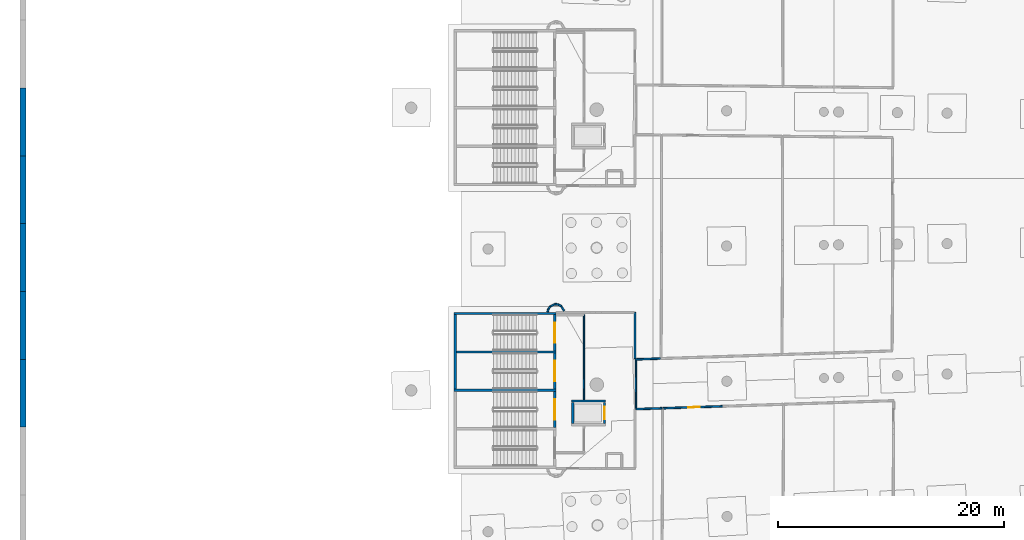
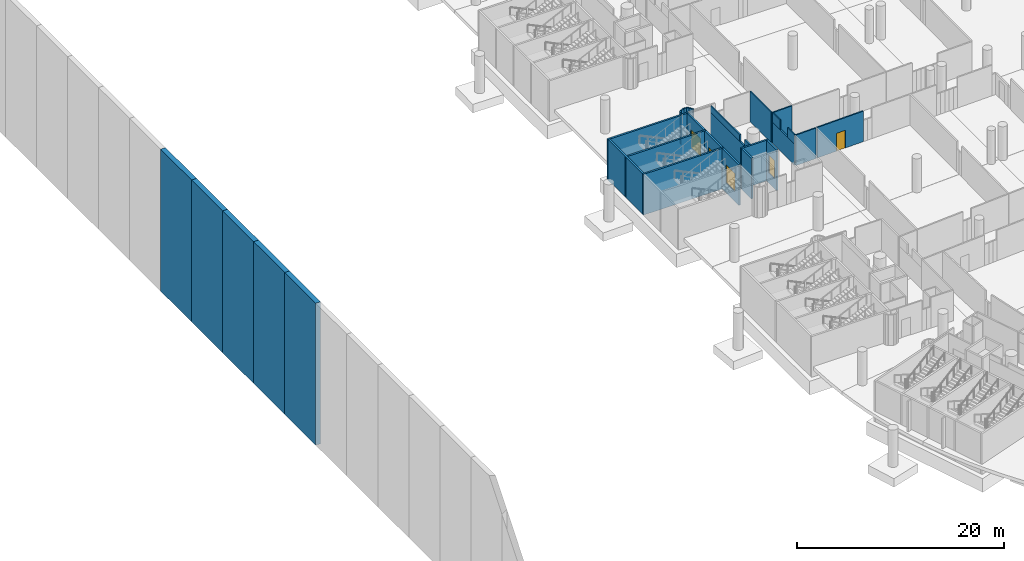
# One storey, part 46 of 142: 31 walls, 5 doors, 5 openings.
"""IFC4 building model written with IfcOpenShell, lengths in metres."""

from ifc_helpers import new_model, si_unit, direction, frame, frame_2d, origin, place, context, subcontext, project, spatial, rectangle, extrude, material, layer, layer_set, type_object, element, fill, save


model = new_model("IFC4")

# Units and contexts
model_context = context("Model", 3, precision=1e-05, world=origin(), true_north=direction((0.0, 1.0)))
body_context = subcontext(model_context, "Body", "Model", "MODEL_VIEW")
ifc_project = project(units=[si_unit("LENGTHUNIT", "METRE"), si_unit("AREAUNIT", "SQUARE_METRE"), si_unit("VOLUMEUNIT", "CUBIC_METRE"), si_unit("PLANEANGLEUNIT", "RADIAN"), si_unit("MASSUNIT", "GRAM", prefix="KILO")], contexts=[model_context])

# Site, building, storey
site_placement = place(None, origin())
site = spatial("IfcSite", under=ifc_project, at=site_placement, CompositionType="ELEMENT")
building_placement = place(site_placement, origin())
building = spatial("IfcBuilding", under=site, at=building_placement, Name="Meseta Stadium", CompositionType="ELEMENT")
storey_placement = place(building_placement, frame((0.0, 0.0, -4.0)))
storey = spatial("IfcBuildingStorey", under=building, at=storey_placement, Name="B1", CompositionType="ELEMENT", Elevation=-4.0)

# Walls
ifc_material_1 = material(Name="Concrete C40/50", Category="concrete")
ifc_layer_1 = layer(ifc_material_1, 0.199951171875)
ifc_layer_set_1 = layer_set([ifc_layer_1], Name="Core divider wall 200")
wall_type_1 = type_object("IfcWallType", Name="Core divider wall 200", PredefinedType="SHEAR", material=ifc_layer_set_1)
wall_1_placement = place(storey_placement, frame((-97.60009765625, -15.35009765625, -1.199951171875), z_axis=(0.0, 0.0, 1.0), x_axis=(1.0, 0.0, 0.0)))
element("IfcWall", 1, at=wall_1_placement, inside=storey, type_object=wall_type_1, Name="Core 18 B1 stair A divider wall", PredefinedType="SHEAR", context=body_context, shape_type="SweptSolid", body=[
    extrude(rectangle(XDim=9.0, YDim=0.199951171875, at=frame_2d((4.5, 0.0))), origin(), (0.0, 0.0, 1.0), 4.800048828125),
])
ifc_material_2 = material(Name="Concrete C40/50", Category="concrete")
ifc_layer_2 = layer(ifc_material_2, 0.199951171875)
ifc_layer_set_2 = layer_set([ifc_layer_2], Name="Core shaft wall 200")
wall_type_2 = type_object("IfcWallType", Name="Core shaft wall 200", PredefinedType="SHEAR", material=ifc_layer_set_2)
for number, where, z_axis, x_axis, name in (
    (2, (-97.60009765625, -11.949951171875, -1.199951171875), (0.0, 0.0, 1.0), (1.0, 0.0, 0.0), "Core 18 B1 stair wall A-side"),
    (3, (-97.60009765625, -18.75, -1.199951171875), (0.0, 0.0, 1.0), (1.0, 0.0, 0.0), "Core 18 B1 stair wall shared"),
):
    element("IfcWall", number, at=place(storey_placement, frame(where, z_axis=z_axis, x_axis=x_axis)), inside=storey, type_object=wall_type_2, Name=name, PredefinedType="SHEAR", context=body_context, shape_type="SweptSolid", body=[
        extrude(rectangle(XDim=9.0, YDim=0.199951171875, at=frame_2d((4.5, 0.0))), origin(), (0.0, 0.0, 1.0), 4.800048828125),
    ])
wall_2_placement = place(storey_placement, frame((-97.5, -12.050048828125, -1.199951171875), z_axis=(0.0, 0.0, 1.0), x_axis=(0.0, -1.0, 0.0)))
element("IfcWall", 4, at=wall_2_placement, inside=storey, type_object=wall_type_2, Name="Core 18 B1 stair A outer end wall", PredefinedType="SHEAR", context=body_context, shape_type="SweptSolid", body=[
    extrude(rectangle(XDim=6.599853515625, YDim=0.199951171875, at=frame_2d((3.2998046875, 0.0))), origin(), (0.0, 0.0, 1.0), 4.800048828125),
])

# Wall, opening, door
wall_3_placement = place(storey_placement, frame((-88.699951171875, -12.050048828125, -1.199951171875), z_axis=(0.0, 0.0, 1.0), x_axis=(0.0, -1.0, 0.0)))
wall_3 = element("IfcWall", 5, at=wall_3_placement, inside=storey, type_object=wall_type_2, Name="Core 18 B1 stair A1 inner end wall", PredefinedType="SHEAR", context=body_context, shape_type="SweptSolid", body=[
    extrude(rectangle(XDim=3.199951171875, YDim=0.199951171875, at=frame_2d((1.60009765625, 0.0))), origin(), (0.0, 0.0, 1.0), 4.800048828125),
])
opening_1_placement = place(wall_3_placement, frame((0.699951171875, 0.0, 1.199951171875)))
opening_1 = element("IfcOpeningElement", 6, at=opening_1_placement, cuts=wall_3, Name="Opening D241", PredefinedType="OPENING", context=body_context, shape_type="SweptSolid", body=[
    extrude(rectangle(XDim=1.800048828125, YDim=2.10009765625, at=frame_2d((0.89990234375, 1.050048828125))), frame((0.0, 0.10986328125, 0.0), z_axis=(0.0, -1.0, 0.0), x_axis=(1.0, 0.0, 0.0)), (0.0, 0.0, 1.0), 0.219970703125),
])
ifc_material_3 = material(Name="Steel", Category="steel")
door_type_1 = type_object("IfcDoorType", Name="Stair door 1800x2100", OperationType="DOUBLE_DOOR_SINGLE_SWING", PredefinedType="DOOR", material=ifc_material_3)
door_1_placement = place(opening_1_placement, origin())
door_1 = element("IfcDoor", 7, at=door_1_placement, inside=storey, type_object=door_type_1, Name="Stair A1 door 18 B1", OperationType="DOUBLE_DOOR_SINGLE_SWING", OverallHeight=2.10009765625, OverallWidth=1.800048828125, PredefinedType="DOOR", context=body_context, shape_type="SweptSolid", body=[
    extrude(rectangle(XDim=1.800048828125, YDim=2.10009765625, at=frame_2d((0.89990234375, 1.050048828125))), frame((0.0, 0.02490234375, 0.0), z_axis=(0.0, -1.0, 0.0), x_axis=(1.0, 0.0, 0.0)), (0.0, 0.0, 1.0), 0.050048828125),
])
fill(opening_1, door_1)

wall_4_placement = place(storey_placement, frame((-88.699951171875, -15.449951171875, -1.199951171875), z_axis=(0.0, 0.0, 1.0), x_axis=(0.0, -1.0, 0.0)))
wall_4 = element("IfcWall", 8, at=wall_4_placement, inside=storey, type_object=wall_type_2, Name="Core 18 B1 stair A2 inner end wall", PredefinedType="SHEAR", context=body_context, shape_type="SweptSolid", body=[
    extrude(rectangle(XDim=3.199951171875, YDim=0.199951171875, at=frame_2d((1.60009765625, 0.0))), origin(), (0.0, 0.0, 1.0), 4.800048828125),
])
opening_2_placement = place(wall_4_placement, frame((0.699951171875, 0.0, 1.199951171875)))
opening_2 = element("IfcOpeningElement", 9, at=opening_2_placement, cuts=wall_4, Name="Opening D242", PredefinedType="OPENING", context=body_context, shape_type="SweptSolid", body=[
    extrude(rectangle(XDim=1.800048828125, YDim=2.10009765625, at=frame_2d((0.89990234375, 1.050048828125))), frame((0.0, 0.10986328125, 0.0), z_axis=(0.0, -1.0, 0.0), x_axis=(1.0, 0.0, 0.0)), (0.0, 0.0, 1.0), 0.219970703125),
])
door_2_placement = place(opening_2_placement, origin())
door_2 = element("IfcDoor", 10, at=door_2_placement, inside=storey, type_object=door_type_1, Name="Stair A2 door 18 B1", OperationType="DOUBLE_DOOR_SINGLE_SWING", OverallHeight=2.10009765625, OverallWidth=1.800048828125, PredefinedType="DOOR", context=body_context, shape_type="SweptSolid", body=[
    extrude(rectangle(XDim=1.800048828125, YDim=2.10009765625, at=frame_2d((0.89990234375, 1.050048828125))), frame((0.0, 0.02490234375, 0.0), z_axis=(0.0, -1.0, 0.0), x_axis=(1.0, 0.0, 0.0)), (0.0, 0.0, 1.0), 0.050048828125),
])
fill(opening_2, door_2)

wall_5_placement = place(storey_placement, frame((-88.699951171875, -18.85009765625, -1.199951171875), z_axis=(0.0, 0.0, 1.0), x_axis=(0.0, -1.0, 0.0)))
wall_5 = element("IfcWall", 11, at=wall_5_placement, inside=storey, type_object=wall_type_2, Name="Core 18 B1 stair B1 inner end wall", PredefinedType="SHEAR", context=body_context, shape_type="SweptSolid", body=[
    extrude(rectangle(XDim=3.199951171875, YDim=0.199951171875, at=frame_2d((1.60009765625, 0.0))), origin(), (0.0, 0.0, 1.0), 4.800048828125),
])
opening_3_placement = place(wall_5_placement, frame((0.699951171875, 0.0, 1.199951171875)))
opening_3 = element("IfcOpeningElement", 12, at=opening_3_placement, cuts=wall_5, Name="Opening D243", PredefinedType="OPENING", context=body_context, shape_type="SweptSolid", body=[
    extrude(rectangle(XDim=1.800048828125, YDim=2.10009765625, at=frame_2d((0.89990234375, 1.050048828125))), frame((0.0, 0.10986328125, 0.0), z_axis=(0.0, -1.0, 0.0), x_axis=(1.0, 0.0, 0.0)), (0.0, 0.0, 1.0), 0.219970703125),
])
door_3_placement = place(opening_3_placement, origin())
door_3 = element("IfcDoor", 13, at=door_3_placement, inside=storey, type_object=door_type_1, Name="Stair B1 door 18 B1", OperationType="DOUBLE_DOOR_SINGLE_SWING", OverallHeight=2.10009765625, OverallWidth=1.800048828125, PredefinedType="DOOR", context=body_context, shape_type="SweptSolid", body=[
    extrude(rectangle(XDim=1.800048828125, YDim=2.10009765625, at=frame_2d((0.89990234375, 1.050048828125))), frame((0.0, 0.02490234375, 0.0), z_axis=(0.0, -1.0, 0.0), x_axis=(1.0, 0.0, 0.0)), (0.0, 0.0, 1.0), 0.050048828125),
])
fill(opening_3, door_3)

# Walls
wall_6_placement = place(storey_placement, frame((-87.199951171875, -19.699951171875, -1.199951171875), z_axis=(0.0, 0.0, 1.0), x_axis=(1.0, 0.0, 0.0)))
element("IfcWall", 14, at=wall_6_placement, inside=storey, type_object=wall_type_2, Name="Core 18 B1 lift shaft wall left", PredefinedType="SHEAR", context=body_context, shape_type="SweptSolid", body=[
    extrude(rectangle(XDim=3.0, YDim=0.199951171875, at=frame_2d((1.5, 0.0))), origin(), (0.0, 0.0, 1.0), 4.800048828125),
])
wall_7_placement = place(storey_placement, frame((-87.10009765625, -19.800048828125, -1.199951171875), z_axis=(0.0, 0.0, 1.0), x_axis=(0.0, -1.0, 0.0)))
element("IfcWall", 15, at=wall_7_placement, inside=storey, type_object=wall_type_2, Name="Core 18 B1 lift shaft back wall", PredefinedType="SHEAR", context=body_context, shape_type="SweptSolid", body=[
    extrude(rectangle(XDim=1.89990234375, YDim=0.199951171875, at=frame_2d((0.949951171875, 0.0))), origin(), (0.0, 0.0, 1.0), 4.800048828125),
])

# Wall, opening, door
wall_8_placement = place(storey_placement, frame((-84.300048828125, -19.800048828125, -1.199951171875), z_axis=(0.0, 0.0, 1.0), x_axis=(0.0, -1.0, 0.0)))
wall_8 = element("IfcWall", 16, at=wall_8_placement, inside=storey, type_object=wall_type_2, Name="Core 18 B1 lift shaft front wall", PredefinedType="SHEAR", context=body_context, shape_type="SweptSolid", body=[
    extrude(rectangle(XDim=1.89990234375, YDim=0.199951171875, at=frame_2d((0.949951171875, 0.0))), origin(), (0.0, 0.0, 1.0), 4.800048828125),
])
opening_4_placement = place(wall_8_placement, frame((0.39990234375, 0.0, 1.199951171875)))
opening_4 = element("IfcOpeningElement", 17, at=opening_4_placement, cuts=wall_8, Name="Opening LD97", PredefinedType="OPENING", context=body_context, shape_type="SweptSolid", body=[
    extrude(rectangle(XDim=1.10009765625, YDim=2.10009765625, at=frame_2d((0.550048828125, 1.050048828125))), frame((0.0, 0.10986328125, 0.0), z_axis=(0.0, -1.0, 0.0), x_axis=(1.0, 0.0, 0.0)), (0.0, 0.0, 1.0), 0.219970703125),
])
ifc_material_4 = material(Name="Steel", Category="steel")
door_type_2 = type_object("IfcDoorType", Name="Lift landing door 1100x2100", OperationType="SLIDING_TO_LEFT", PredefinedType="DOOR", material=ifc_material_4)
door_4_placement = place(opening_4_placement, origin())
door_4 = element("IfcDoor", 18, at=door_4_placement, inside=storey, type_object=door_type_2, Name="Lift landing door LD97", OperationType="SLIDING_TO_LEFT", OverallHeight=2.10009765625, OverallWidth=1.10009765625, PredefinedType="DOOR", context=body_context, shape_type="SweptSolid", body=[
    extrude(rectangle(XDim=1.10009765625, YDim=2.10009765625, at=frame_2d((0.550048828125, 1.050048828125))), frame((0.0, 0.02490234375, 0.0), z_axis=(0.0, -1.0, 0.0), x_axis=(1.0, 0.0, 0.0)), (0.0, 0.0, 1.0), 0.050048828125),
])
fill(opening_4, door_4)

# Walls
ifc_material_5 = material(Name="Masonry blockwork", Category="masonry")
ifc_layer_3 = layer(ifc_material_5, 0.14990234375)
ifc_layer_set_3 = layer_set([ifc_layer_3], Name="Partition 150")
wall_type_3 = type_object("IfcWallType", Name="Partition 150", PredefinedType="PARTITIONING", material=ifc_layer_set_3)
wall_9_placement = place(storey_placement, frame((-79.3515625, -15.935302734375, 0.0), z_axis=(0.0, 0.0, 1.0), x_axis=(-0.999459266056, -0.032881233183, 0.0)))
element("IfcWall", 19, at=wall_9_placement, inside=storey, type_object=wall_type_3, Name="Partition B1 B1-cell16-3-0", PredefinedType="PARTITIONING", context=body_context, shape_type="SweptSolid", body=[
    extrude(rectangle(XDim=2.249755859375, YDim=0.14990234375, at=frame_2d((1.125, 0.0))), origin(), (0.0, 0.0, 1.0), 3.60009765625),
])
wall_10_placement = place(storey_placement, frame((-81.60009765625, -15.934326171875, 0.0), z_axis=(0.0, 0.0, 1.0), x_axis=(0.0, 1.0, 0.0)))
element("IfcWall", 20, at=wall_10_placement, inside=storey, type_object=wall_type_3, Name="Partition B1 B1-cell16-3-0", PredefinedType="PARTITIONING", context=body_context, shape_type="SweptSolid", body=[
    extrude(rectangle(XDim=4.084228515625, YDim=0.14990234375, at=frame_2d((2.0419921875, 0.0))), origin(), (0.0, 0.0, 1.0), 3.60009765625),
])

# Wall, opening, door
wall_11_placement = place(storey_placement, frame((-79.08203125, -20.328857421875, 0.0), z_axis=(0.0, 0.0, 1.0), x_axis=(0.999459366608, 0.032878176633, 0.0)))
wall_11 = element("IfcWall", 21, at=wall_11_placement, inside=storey, type_object=wall_type_3, Name="Partition B1 B1-cell17-2-0", PredefinedType="PARTITIONING", context=body_context, shape_type="SweptSolid", body=[
    extrude(rectangle(XDim=5.25, YDim=0.14990234375, at=frame_2d((2.625, 0.0))), origin(), (0.0, 0.0, 1.0), 3.60009765625),
])
opening_5_placement = place(wall_11_placement, frame((2.199951171875, 0.0, 0.0)))
opening_5 = element("IfcOpeningElement", 22, at=opening_5_placement, cuts=wall_11, Name="Opening D483", PredefinedType="OPENING", context=body_context, shape_type="SweptSolid", body=[
    extrude(rectangle(XDim=1.0, YDim=2.10009765625, at=frame_2d((0.5, 1.050048828125))), frame((0.0, 0.0849609375, 0.0), z_axis=(0.0, -1.0, 0.0), x_axis=(1.0, 0.0, 0.0)), (0.0, 0.0, 1.0), 0.169921875),
])
ifc_material_6 = material(Name="Steel", Category="steel")
door_type_3 = type_object("IfcDoorType", Name="Fire door 1000x2100 EI2 60", OperationType="NOTDEFINED", PredefinedType="DOOR", material=ifc_material_6)
door_5_placement = place(opening_5_placement, origin())
door_5 = element("IfcDoor", 23, at=door_5_placement, inside=storey, type_object=door_type_3, Name="Door D483", OperationType="SINGLE_SWING_RIGHT", OverallHeight=2.10009765625, OverallWidth=1.0, PredefinedType="DOOR", context=body_context, shape_type="SweptSolid", body=[
    extrude(rectangle(XDim=1.0, YDim=2.10009765625, at=frame_2d((0.5, 1.050048828125))), frame((0.0, 0.02490234375, 0.0), z_axis=(0.0, -1.0, 0.0), x_axis=(1.0, 0.0, 0.0)), (0.0, 0.0, 1.0), 0.050048828125),
])
fill(opening_5, door_5)

# Walls
wall_12_placement = place(storey_placement, frame((-81.52490234375, -20.4091796875, 0.0), z_axis=(0.0, 0.0, 1.0), x_axis=(0.999460453172, 0.032845129702, 0.0)))
element("IfcWall", 24, at=wall_12_placement, inside=storey, type_object=wall_type_3, Name="Partition B1 B1-cell17-3-0", PredefinedType="PARTITIONING", context=body_context, shape_type="SweptSolid", body=[
    extrude(rectangle(XDim=2.319091796875, YDim=0.14990234375, at=frame_2d((1.15966796875, 0.0))), origin(), (0.0, 0.0, 1.0), 3.60009765625),
])
wall_13_placement = place(storey_placement, frame((-86.125, -19.590087890625, 0.0), z_axis=(0.0, 0.0, 1.0), x_axis=(0.0, 1.0, 0.0)))
element("IfcWall", 25, at=wall_13_placement, inside=storey, type_object=wall_type_3, Name="Stair vestibule wall B1 core 18", PredefinedType="PARTITIONING", context=body_context, shape_type="SweptSolid", body=[
    extrude(rectangle(XDim=7.51513671875, YDim=0.14990234375, at=frame_2d((3.757568359375, 0.0))), origin(), (0.0, 0.0, 1.0), 2.85009765625),
])
wall_14_placement = place(storey_placement, frame((-86.125, -19.590087890625, 2.85009765625), z_axis=(0.0, 0.0, 1.0), x_axis=(0.0, 1.0, 0.0)))
element("IfcWall", 26, at=wall_14_placement, inside=storey, type_object=wall_type_3, Name="Stair vestibule wall B1 core 18", PredefinedType="PARTITIONING", context=body_context, shape_type="SweptSolid", body=[
    extrude(rectangle(XDim=0.939453125, YDim=0.14990234375, at=frame_2d((0.4697265625, 0.0))), origin(), (0.0, 0.0, 1.0), 0.75),
])
wall_15_placement = place(storey_placement, frame((-86.125, -17.711181640625, 2.85009765625), z_axis=(0.0, 0.0, 1.0), x_axis=(0.0, 1.0, 0.0)))
element("IfcWall", 27, at=wall_15_placement, inside=storey, type_object=wall_type_3, Name="Stair vestibule wall B1 core 18", PredefinedType="PARTITIONING", context=body_context, shape_type="SweptSolid", body=[
    extrude(rectangle(XDim=5.63623046875, YDim=0.14990234375, at=frame_2d((2.818115234375, 0.0))), origin(), (0.0, 0.0, 1.0), 0.75),
])
wall_16_placement = place(storey_placement, frame((-81.52490234375, -20.330810546875, 0.0), z_axis=(0.0, 0.0, 1.0), x_axis=(0.0, 1.0, 0.0)))
element("IfcWall", 28, at=wall_16_placement, inside=storey, type_object=wall_type_3, Name="Stair vestibule wall B1 core 18", PredefinedType="PARTITIONING", context=body_context, shape_type="SweptSolid", body=[
    extrude(rectangle(XDim=4.236572265625, YDim=0.14990234375, at=frame_2d((2.1181640625, 0.0))), origin(), (0.0, 0.0, 1.0), 2.5),
])
wall_17_placement = place(storey_placement, frame((-81.52490234375, -20.330810546875, 2.5), z_axis=(0.0, 0.0, 1.0), x_axis=(0.0, 1.0, 0.0)))
element("IfcWall", 29, at=wall_17_placement, inside=storey, type_object=wall_type_3, Name="Stair vestibule wall B1 core 18", PredefinedType="PARTITIONING", context=body_context, shape_type="SweptSolid", body=[
    extrude(rectangle(XDim=1.364990234375, YDim=0.14990234375, at=frame_2d((0.6826171875, 0.0))), origin(), (0.0, 0.0, 1.0), 1.10009765625),
])
wall_18_placement = place(storey_placement, frame((-81.52490234375, -17.530029296875, 2.5), z_axis=(0.0, 0.0, 1.0), x_axis=(0.0, 1.0, 0.0)))
element("IfcWall", 30, at=wall_18_placement, inside=storey, type_object=wall_type_3, Name="Stair vestibule wall B1 core 18", PredefinedType="PARTITIONING", context=body_context, shape_type="SweptSolid", body=[
    extrude(rectangle(XDim=1.435791015625, YDim=0.14990234375, at=frame_2d((0.7177734375, 0.0))), origin(), (0.0, 0.0, 1.0), 1.10009765625),
])
wall_19_placement = place(storey_placement, frame((-87.877197265625, -11.720947265625, 0.0), z_axis=(0.0, 0.0, 1.0), x_axis=(-0.513060623194, 0.858352373404, 0.0)))
element("IfcWall", 31, at=wall_19_placement, inside=storey, type_object=wall_type_3, Name="Stair vestibule wall B1 core 18", PredefinedType="PARTITIONING", context=body_context, shape_type="SweptSolid", body=[
    extrude(rectangle(XDim=0.50048828125, YDim=0.14990234375, at=frame_2d((0.250244140625, 0.0))), origin(), (0.0, 0.0, 1.0), 3.60009765625),
])
for number, where, z_axis, x_axis, name in (
    (32, (-88.134033203125, -11.291259765625, 0.0), (0.0, 0.0, 1.0), (-0.881768319, 0.471682765858, 0.0), "Stair vestibule wall B1 core 18"),
    (33, (-88.38916015625, -11.15478515625, 0.0), (0.0, 0.0, 1.0), (-0.995194714408, 0.097915680128, 0.0), "Stair vestibule wall B1 core 18"),
):
    element("IfcWall", number, at=place(storey_placement, frame(where, z_axis=z_axis, x_axis=x_axis)), inside=storey, type_object=wall_type_3, Name=name, PredefinedType="PARTITIONING", context=body_context, shape_type="SweptSolid", body=[
        extrude(rectangle(XDim=0.289306640625, YDim=0.14990234375, at=frame_2d((0.14453125, 0.0))), origin(), (0.0, 0.0, 1.0), 3.60009765625),
    ])
wall_20_placement = place(storey_placement, frame((-88.677001953125, -11.12646484375, 0.0), z_axis=(0.0, 0.0, 1.0), x_axis=(-0.90398642908, -0.427561148889, 0.0)))
element("IfcWall", 34, at=wall_20_placement, inside=storey, type_object=wall_type_3, Name="Stair vestibule wall B1 core 18", PredefinedType="PARTITIONING", context=body_context, shape_type="SweptSolid", body=[
    extrude(rectangle(XDim=0.479736328125, YDim=0.14990234375, at=frame_2d((0.23974609375, 0.0))), origin(), (0.0, 0.0, 1.0), 3.60009765625),
])
wall_21_placement = place(storey_placement, frame((-89.110595703125, -11.33154296875, 0.0), z_axis=(0.0, 0.0, 1.0), x_axis=(-0.555678694372, -0.831397130511, 0.0)))
element("IfcWall", 35, at=wall_21_placement, inside=storey, type_object=wall_type_3, Name="Stair vestibule wall B1 core 18", PredefinedType="PARTITIONING", context=body_context, shape_type="SweptSolid", body=[
    extrude(rectangle(XDim=0.287841796875, YDim=0.14990234375, at=frame_2d((0.14404296875, 0.0))), origin(), (0.0, 0.0, 1.0), 3.60009765625),
])
wall_22_placement = place(storey_placement, frame((-89.2705078125, -11.57080078125, 0.0), z_axis=(0.0, 0.0, 1.0), x_axis=(-0.230253879357, -0.973130593004, 0.0)))
element("IfcWall", 36, at=wall_22_placement, inside=storey, type_object=wall_type_3, Name="Stair vestibule wall B1 core 18", PredefinedType="PARTITIONING", context=body_context, shape_type="SweptSolid", body=[
    extrude(rectangle(XDim=0.257568359375, YDim=0.14990234375, at=frame_2d((0.12890625, 0.0))), origin(), (0.0, 0.0, 1.0), 3.60009765625),
])
ifc_material_7 = material(Name="Concrete C30/37", Category="concrete")
ifc_layer_4 = layer(ifc_material_7, 0.550048828125)
ifc_layer_set_4 = layer_set([ifc_layer_4], Name="Site retaining wall 550")
wall_type_4 = type_object("IfcWallType", Name="Site retaining wall 550", PredefinedType="SOLIDWALL", material=ifc_layer_set_4)
for number, where, z_axis, x_axis, name in (
    (37, (-135.72509765625, 8.0, -13.0), (0.0, 0.0, 1.0), (0.0, -1.0, 0.0), "Site retaining wall 166"),
    (38, (-135.72509765625, 2.0, -13.0), (0.0, 0.0, 1.0), (0.0, -1.0, 0.0), "Site retaining wall 167"),
    (39, (-135.72509765625, -4.0, -13.0), (0.0, 0.0, 1.0), (0.0, -1.0, 0.0), "Site retaining wall 168"),
    (40, (-135.72509765625, -10.0, -13.0), (0.0, 0.0, 1.0), (0.0, -1.0, 0.0), "Site retaining wall 169"),
    (41, (-135.72509765625, -16.0, -13.0), (0.0, 0.0, 1.0), (0.0, -1.0, 0.0), "Site retaining wall 170"),
):
    element("IfcWall", number, at=place(storey_placement, frame(where, z_axis=z_axis, x_axis=x_axis)), inside=storey, type_object=wall_type_4, Name=name, PredefinedType="SOLIDWALL", context=body_context, shape_type="SweptSolid", body=[
        extrude(rectangle(XDim=6.0, YDim=0.550048828125, at=frame_2d((3.0, 0.0))), origin(), (0.0, 0.0, 1.0), 16.75),
    ])

save(model, "model.ifc")
